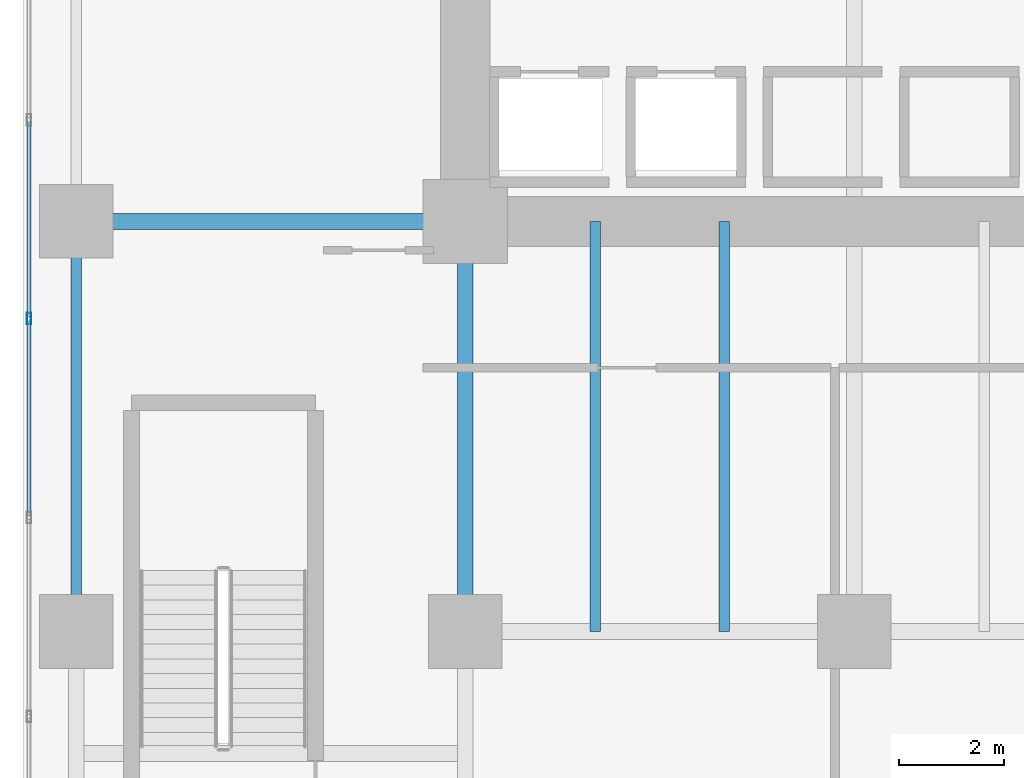
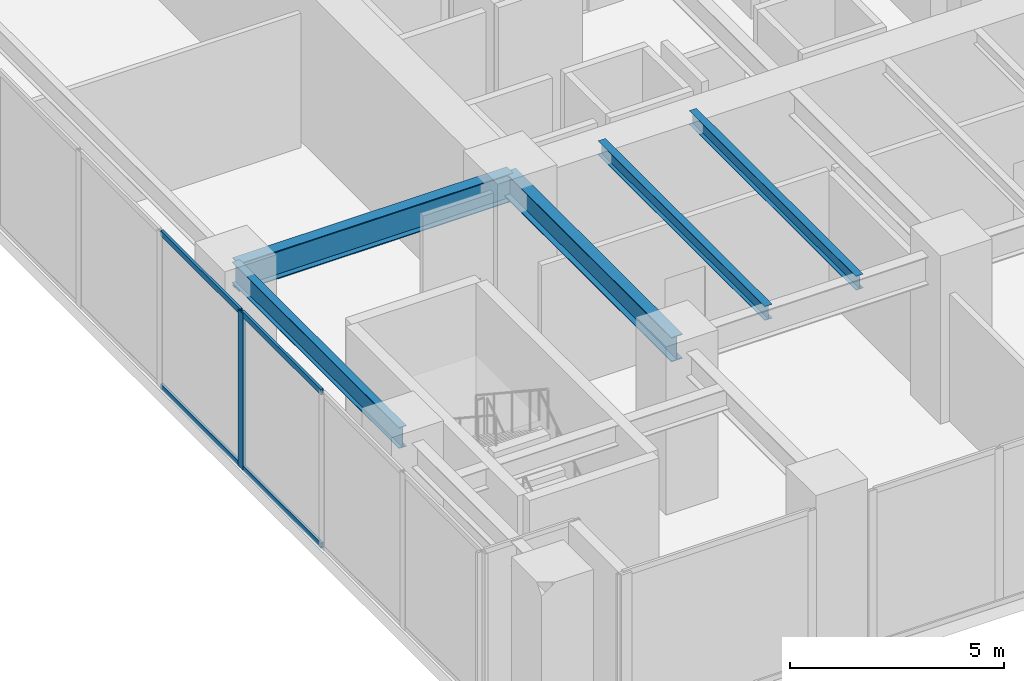
# One storey, part 3 of 32: 5 beams, 5 members, 1 element without a shape of its own.
"""IFC4 building model written with IfcOpenShell, lengths in metres."""

import ifcopenshell
import ifcopenshell.guid

model = None  # the IFC model being written
_history = None  # IfcOwnerHistory: only IFC2X3 demands one
_inside = {}  # id of a spatial element -> (the spatial element, [elements in it])
_under = {}  # id of a project, library or spatial element -> (it, [spatial elements below it])
_declared = {}  # id of a project -> (the project, [libraries it declares])
_typed = {}  # id of a type object -> (the type object, [elements of that type])
_made_of = {}  # id of a material, layer set ... -> (it, [elements and type objects made of it])


def new_model(schema):
    """Start an empty IFC model of exactly this schema.

    Asked for "IFC4X3", IfcOpenShell would pick the latest addendum, in which some entities
    have other attributes; the version numbers below select the first issue.
    IFC2X3 requires an IfcOwnerHistory on every rooted entity: one is made here for all.
    """
    global model, _history
    if schema == "IFC4X3":
        model = ifcopenshell.file(schema_version=(4, 3, 0, 0))
    else:
        model = ifcopenshell.file(schema=schema)
    _inside.clear()
    _under.clear()
    _declared.clear()
    _typed.clear()
    _made_of.clear()
    _history = None
    if model.schema == "IFC2X3":
        org = make("IfcOrganization", Name="unknown")
        user = make(
            "IfcPersonAndOrganization",
            ThePerson=make("IfcPerson", FamilyName="unknown"),
            TheOrganization=org,
        )
        app = make(
            "IfcApplication",
            ApplicationDeveloper=org,
            Version="unknown",
            ApplicationFullName="unknown",
            ApplicationIdentifier="unknown",
        )
        _history = make(
            "IfcOwnerHistory",
            OwningUser=user,
            OwningApplication=app,
            ChangeAction="ADDED",
            CreationDate=0,
        )
    return model


def make(cls, **values):
    """One entity of the class cls with the attributes given. An attribute that is None is left unset."""
    return model.create_entity(
        cls, **{name: value for name, value in values.items() if value is not None}
    )


def rooted(cls, **values):
    """An entity with a GlobalId (a new one), such as an element, a storey or a relation."""
    return make(cls, GlobalId=ifcopenshell.guid.new(), OwnerHistory=_history, **values)


def si_unit(unit_type, name, prefix=None):
    """IfcSIUnit, for example si_unit("LENGTHUNIT", "METRE", prefix="MILLI")."""
    return make("IfcSIUnit", UnitType=unit_type, Prefix=prefix, Name=name)


def assignment(units):
    """IfcUnitAssignment: the units of a project."""
    return None if units is None else make("IfcUnitAssignment", Units=units)


def point(xyz):
    """IfcCartesianPoint."""
    return None if xyz is None else make("IfcCartesianPoint", Coordinates=xyz)


def direction(xyz):
    """IfcDirection."""
    return None if xyz is None else make("IfcDirection", DirectionRatios=xyz)


def frame(location, z_axis=None, x_axis=None):
    """IfcAxis2Placement3D, a coordinate frame: its origin and axes. An axis left out is left unset."""
    return make(
        "IfcAxis2Placement3D",
        Location=point(location),
        Axis=direction(z_axis),
        RefDirection=direction(x_axis),
    )


def frame_2d(location, x_axis=None):
    """IfcAxis2Placement2D, a coordinate frame in the plane: its origin and x axis."""
    return make(
        "IfcAxis2Placement2D", Location=point(location), RefDirection=direction(x_axis)
    )


def origin():
    """The frame at (0, 0, 0) with its axes left unset."""
    return frame((0.0, 0.0, 0.0))


def origin_2d():
    """The frame at (0, 0) in the plane with its x axis left unset."""
    return frame_2d((0.0, 0.0))


def place(relative_to, where):
    """IfcLocalPlacement: puts the frame where relative to a parent placement (None: the world)."""
    return make(
        "IfcLocalPlacement", PlacementRelTo=relative_to, RelativePlacement=where
    )


def context(
    kind, dimensions, precision=None, world=None, true_north=None, identifier=None
):
    """IfcGeometricRepresentationContext, for example the 3D "Model" context."""
    return make(
        "IfcGeometricRepresentationContext",
        ContextIdentifier=identifier,
        ContextType=kind,
        CoordinateSpaceDimension=dimensions,
        Precision=precision,
        WorldCoordinateSystem=world,
        TrueNorth=true_north,
    )


def subcontext(parent, identifier, kind, view, scale=None):
    """IfcGeometricRepresentationSubContext, for example "Body" below "Model"."""
    return make(
        "IfcGeometricRepresentationSubContext",
        ContextIdentifier=identifier,
        ContextType=kind,
        ParentContext=parent,
        TargetScale=scale,
        TargetView=view,
    )


def project(units=None, contexts=None):
    """IfcProject with its units and contexts."""
    return rooted(
        "IfcProject",
        Name="project",
        RepresentationContexts=contexts,
        UnitsInContext=assignment(units),
    )


def spatial(cls, under=None, at=None, **own):
    """A site, building, storey or space (cls), placed at a placement, below another one or the project."""
    s = rooted(cls, ObjectPlacement=at, **own)
    if under is not None:
        _under.setdefault(under.id(), (under, []))[1].append(s)
    return s


def profile(cls, at=None, kind="AREA", **sizes):
    """A parametric profile (cls). Its sizes go by their IFC names, for example OverallWidth=200.0."""
    return make(cls, ProfileType=kind, Position=at, **sizes)


def hollow_rectangle(**sizes):
    """IfcRectangleHollowProfileDef."""
    return profile("IfcRectangleHollowProfileDef", **sizes)


def i_section(**sizes):
    """IfcIShapeProfileDef."""
    return profile("IfcIShapeProfileDef", **sizes)


def extrude(swept, where, along, depth):
    """IfcExtrudedAreaSolid: the profile swept, set in the frame where, extruded along a direction by depth."""
    return make(
        "IfcExtrudedAreaSolid",
        SweptArea=swept,
        Position=where,
        ExtrudedDirection=direction(along),
        Depth=depth,
    )


def shape(context_of_items, identifier, shape_type, items):
    """IfcShapeRepresentation: the items that make up one representation, for example the "Body"."""
    return make(
        "IfcShapeRepresentation",
        ContextOfItems=context_of_items,
        RepresentationIdentifier=identifier,
        RepresentationType=shape_type,
        Items=items,
    )


def source(mapping_origin, context_of_items, identifier, shape_type, items):
    """IfcRepresentationMap: a shape defined once, which mapped items show again and again."""
    return make(
        "IfcRepresentationMap",
        MappingOrigin=mapping_origin,
        MappedRepresentation=shape(context_of_items, identifier, shape_type, items),
    )


def transform(
    local_origin,
    x_axis=None,
    y_axis=None,
    z_axis=None,
    scale=None,
    scale2=None,
    scale3=None,
    uniform=True,
):
    """IfcCartesianTransformationOperator3D, or its non-uniform kind. x_axis, y_axis, z_axis: its Axis1, 2, 3."""
    if uniform:
        return make(
            "IfcCartesianTransformationOperator3D",
            Axis1=direction(x_axis),
            Axis2=direction(y_axis),
            LocalOrigin=point(local_origin),
            Scale=scale,
            Axis3=direction(z_axis),
        )
    return make(
        "IfcCartesianTransformationOperator3DnonUniform",
        Axis1=direction(x_axis),
        Axis2=direction(y_axis),
        LocalOrigin=point(local_origin),
        Scale=scale,
        Axis3=direction(z_axis),
        Scale2=scale2,
        Scale3=scale3,
    )


def mapped(mapping_source, mapping_target):
    """IfcMappedItem: shows the shape of a source again, moved by a transform."""
    return make(
        "IfcMappedItem", MappingSource=mapping_source, MappingTarget=mapping_target
    )


def material(Name=None, Category=None):
    """IfcMaterial."""
    return make("IfcMaterial", Name=Name, Category=Category)


def layer(
    of_material, thickness, ventilated=None, Name=None, Category=None, Priority=None
):
    """IfcMaterialLayer: one layer of a wall or slab, of a material (None: an air gap)."""
    return make(
        "IfcMaterialLayer",
        Material=of_material,
        LayerThickness=thickness,
        IsVentilated=ventilated,
        Name=Name,
        Category=Category,
        Priority=Priority,
    )


def layer_set(layers, Name=None):
    """IfcMaterialLayerSet."""
    return make("IfcMaterialLayerSet", MaterialLayers=layers, LayerSetName=Name)


def material_profile(
    of_material, cross_section, Name=None, Category=None, Priority=None
):
    """IfcMaterialProfile: a cross section and its material."""
    return make(
        "IfcMaterialProfile",
        Name=Name,
        Material=of_material,
        Profile=cross_section,
        Priority=Priority,
        Category=Category,
    )


def profile_set(profiles, Name=None, composite=None):
    """IfcMaterialProfileSet."""
    return make(
        "IfcMaterialProfileSet",
        Name=Name,
        MaterialProfiles=profiles,
        CompositeProfile=composite,
    )


def made_of(thing, what):
    """Note that an element or type object is made of a material, layer set ...; save() writes the relation."""
    if what is not None:
        _made_of.setdefault(what.id(), (what, []))[1].append(thing)
    return thing


def type_object(cls, material=None, **own):
    """A type object (cls), such as IfcWallType, which elements share."""
    return made_of(rooted(cls, **own), material)


def type_shapes(of_type, sources):
    """Give a type object the sources (RepresentationMaps) that its elements show as mapped items."""
    of_type.RepresentationMaps = sources


def element(
    cls,
    number,
    at=None,
    inside=None,
    cuts=None,
    type_object=None,
    material=None,
    context=None,
    identifier="Body",
    shape_type=None,
    held_by="IfcProductDefinitionShape",
    body=None,
    shapes=None,
    **own,
):
    """One element of the class cls, such as IfcWall. Its Tag is "e" and its number.

    at: its placement. inside: the storey or other place that contains it. cuts: it is an
    opening in that element (IfcRelVoidsElement). A single representation is given by context,
    identifier, shape_type and body (its items); several are given by shapes. held_by: the class
    of the entity that holds the representations. save() writes the other relations.
    """
    e = rooted(cls, Tag="e%d" % number, ObjectPlacement=at, **own)
    if body is not None:
        shapes = [shape(context, identifier, shape_type, body)]
    if shapes is not None:
        e.Representation = make(held_by, Representations=shapes)
    if inside is not None:
        _inside.setdefault(inside.id(), (inside, []))[1].append(e)
    if cuts is not None:
        rooted(
            "IfcRelVoidsElement", RelatingBuildingElement=cuts, RelatedOpeningElement=e
        )
    if type_object is not None:
        _typed.setdefault(type_object.id(), (type_object, []))[1].append(e)
    return made_of(e, material)


def aggregate(whole, parts):
    """IfcRelAggregates: a whole, such as a stair, and the parts it consists of."""
    return rooted("IfcRelAggregates", RelatingObject=whole, RelatedObjects=parts)


def save(model, path):
    """Write the relations noted so far, then the file.

    IfcRelAggregates (storeys below a building ...), IfcRelContainedInSpatialStructure (elements
    in a storey), IfcRelDefinesByType, IfcRelAssociatesMaterial and IfcRelDeclares: one each for
    every whole, place, type object, material and project.
    """
    for whole, parts in _under.values():
        aggregate(whole, parts)
    for where, things in _inside.values():
        rooted(
            "IfcRelContainedInSpatialStructure",
            RelatedElements=things,
            RelatingStructure=where,
        )
    for kind, things in _typed.values():
        rooted("IfcRelDefinesByType", RelatedObjects=things, RelatingType=kind)
    for what, things in _made_of.values():
        rooted("IfcRelAssociatesMaterial", RelatedObjects=things, RelatingMaterial=what)
    for by, libraries in _declared.values():
        rooted("IfcRelDeclares", RelatingContext=by, RelatedDefinitions=libraries)
    model.write(path)


model = new_model("IFC4")

# Units and contexts
model_context = context("Model", 3, precision=1e-05, world=origin(), true_north=direction((0.0, 1.0)))
body_context = subcontext(model_context, "Body", "Model", "MODEL_VIEW")
ifc_project = project(units=[si_unit("LENGTHUNIT", "METRE"), si_unit("AREAUNIT", "SQUARE_METRE"), si_unit("VOLUMEUNIT", "CUBIC_METRE"), si_unit("PLANEANGLEUNIT", "RADIAN"), si_unit("MASSUNIT", "GRAM", prefix="KILO")], contexts=[model_context])

# Site, building, storey
site_placement = place(None, origin())
site = spatial("IfcSite", under=ifc_project, at=site_placement, CompositionType="ELEMENT")
building_placement = place(site_placement, origin())
building = spatial("IfcBuilding", under=site, at=building_placement, Name="Haelvirn Gate Laboratories", CompositionType="ELEMENT")
storey_placement = place(building_placement, frame((0.0, 0.0, 5.39990234375)))
storey = spatial("IfcBuildingStorey", under=building, at=storey_placement, Name="L02", CompositionType="ELEMENT", Elevation=5.39990234375)

# Beams
ifc_material_1 = material(Name="Steel SM420", Category="steel")
ifc_material_profile_1 = material_profile(ifc_material_1, i_section(OverallWidth=0.300048828125, OverallDepth=0.800048828125, WebThickness=0.013916015625, FlangeThickness=0.02587890625, at=origin_2d()), Name="H-800x300x14x26")
ifc_profile_set_1 = profile_set([ifc_material_profile_1], Name="Steel SM420")
beam_type_1 = type_object("IfcBeamType", Name="BM-G-800", PredefinedType="BEAM", material=ifc_profile_set_1)
shared_shape_1 = source(origin(), body_context, "Body", "SweptSolid", [
    extrude(i_section(OverallWidth=0.300048828125, OverallDepth=0.800048828125, WebThickness=0.013916015625, FlangeThickness=0.02587890625, at=origin_2d()), origin(), (0.0, 0.0, 1.0), 7.39990234375),
])
type_shapes(beam_type_1, [shared_shape_1])
beam_1_placement = place(storey_placement, frame((0.0, 14.800048828125, 4.050048828125), z_axis=(1.0, 0.0, 0.0), x_axis=(0.0, 1.0, 0.0)))
element("IfcBeam", 1, at=beam_1_placement, inside=storey, type_object=beam_type_1, Name="L02 Primary Girder Y14.8 (0.0-7.4)", PredefinedType="BEAM", context=body_context, shape_type="MappedRepresentation", body=[
    mapped(shared_shape_1, transform((0.0, 0.0, 0.0), scale=1.0)),
])
ifc_material_2 = material(Name="Steel SM355", Category="steel")
ifc_material_profile_2 = material_profile(ifc_material_2, i_section(OverallWidth=0.199951171875, OverallDepth=0.60009765625, WebThickness=0.010986328125, FlangeThickness=0.01708984375, at=origin_2d()), Name="H-600x200x11x17")
ifc_profile_set_2 = profile_set([ifc_material_profile_2], Name="Steel SM355")
beam_type_2 = type_object("IfcBeamType", Name="BM-SP-600", PredefinedType="SPANDREL", material=ifc_profile_set_2)
shared_shape_2 = source(origin(), body_context, "Body", "SweptSolid", [
    extrude(i_section(OverallWidth=0.199951171875, OverallDepth=0.60009765625, WebThickness=0.010986328125, FlangeThickness=0.01708984375, at=origin_2d()), origin(), (0.0, 0.0, 1.0), 7.800048828125),
])
type_shapes(beam_type_2, [shared_shape_2])
beam_2_placement = place(storey_placement, frame((0.0, 7.0, 4.150146484375), z_axis=(0.0, 1.0, 0.0), x_axis=(-1.0, 0.0, 0.0)))
element("IfcBeam", 2, at=beam_2_placement, inside=storey, type_object=beam_type_2, Name="L02 Perimeter Spandrel X0.0 (7.0-14.8)", PredefinedType="SPANDREL", context=body_context, shape_type="MappedRepresentation", body=[
    mapped(shared_shape_2, transform((0.0, 0.0, 0.0), scale=1.0)),
])
ifc_material_profile_3 = material_profile(ifc_material_2, i_section(OverallWidth=0.199951171875, OverallDepth=0.39990234375, WebThickness=0.008056640625, FlangeThickness=0.012939453125, at=origin_2d()), Name="H-400x200x8x13")
ifc_profile_set_3 = profile_set([ifc_material_profile_3], Name="Steel SM355")
beam_type_3 = type_object("IfcBeamType", Name="BM-J-400", PredefinedType="JOIST", material=ifc_profile_set_3)
shared_shape_3 = source(origin(), body_context, "Body", "SweptSolid", [
    extrude(i_section(OverallWidth=0.199951171875, OverallDepth=0.39990234375, WebThickness=0.008056640625, FlangeThickness=0.012939453125, at=origin_2d()), origin(), (0.0, 0.0, 1.0), 7.800048828125),
])
type_shapes(beam_type_3, [shared_shape_3])
for number, where, z_axis, x_axis, name in (
    (3, (9.8701171875, 7.0, 4.25), (0.0, 1.0, 0.0), (-1.0, 0.0, 0.0), "L02 Composite Lab Joist South X9.87"),
    (4, (12.330078125, 7.0, 4.25), (0.0, 1.0, 0.0), (-1.0, 0.0, 0.0), "L02 Composite Lab Joist South X12.33"),
):
    element("IfcBeam", number, at=place(storey_placement, frame(where, z_axis=z_axis, x_axis=x_axis)), inside=storey, type_object=beam_type_3, Name=name, PredefinedType="JOIST", context=body_context, shape_type="MappedRepresentation", body=[
        mapped(shared_shape_3, transform((0.0, 0.0, 0.0), scale=1.0)),
    ])
ifc_material_profile_4 = material_profile(ifc_material_2, i_section(OverallWidth=0.300048828125, OverallDepth=0.699951171875, WebThickness=0.012939453125, FlangeThickness=0.02392578125, at=origin_2d()), Name="H-700x300x13x24")
ifc_profile_set_4 = profile_set([ifc_material_profile_4], Name="Steel SM355")
beam_type_4 = type_object("IfcBeamType", Name="BM-G-700", PredefinedType="BEAM", material=ifc_profile_set_4)
shared_shape_4 = source(origin(), body_context, "Body", "SweptSolid", [
    extrude(i_section(OverallWidth=0.300048828125, OverallDepth=0.699951171875, WebThickness=0.012939453125, FlangeThickness=0.02392578125, at=origin_2d()), origin(), (0.0, 0.0, 1.0), 7.800048828125),
])
type_shapes(beam_type_4, [shared_shape_4])
beam_3_placement = place(storey_placement, frame((7.39990234375, 7.0, 4.10009765625), z_axis=(0.0, 1.0, 0.0), x_axis=(-1.0, 0.0, 0.0)))
element("IfcBeam", 5, at=beam_3_placement, inside=storey, type_object=beam_type_4, Name="L02 Frame Girder X7.4 (7.0-14.8)", PredefinedType="BEAM", context=body_context, shape_type="MappedRepresentation", body=[
    mapped(shared_shape_4, transform((0.0, 0.0, 0.0), scale=1.0)),
])

# Curtain wall, members
ifc_material_3 = material(Name="Anodised bronze unitised aluminium & triple low-E glass", Category="aluminium")
ifc_layer = layer(ifc_material_3, 0.18798828125, Name="CW-SYS-1")
ifc_layer_set = layer_set([ifc_layer], Name="Anodised bronze unitised aluminium & triple low-E glass")
curtain_wall_type = type_object("IfcCurtainWallType", Name="CW-SYS-1", PredefinedType="NOTDEFINED", material=ifc_layer_set)
curtain_wall_placement = place(storey_placement, origin())
curtain_wall = element("IfcCurtainWall", 6, at=curtain_wall_placement, inside=storey, type_object=curtain_wall_type, Name="L02 Unitised Curtain Wall CW-L02-P0-E05", PredefinedType="NOTDEFINED")
ifc_material_4 = material(Name="Extruded aluminium 6063-T6 (anodised bronze)", Category="aluminium")
ifc_material_profile_5 = material_profile(ifc_material_4, hollow_rectangle(XDim=0.080078125, YDim=0.219970703125, WallThickness=0.006103515625, at=origin_2d()), Name="CWM-220x80x6")
ifc_profile_set_5 = profile_set([ifc_material_profile_5], Name="Extruded aluminium 6063-T6 (anodised bronze)")
member_type_1 = type_object("IfcMemberType", Name="CWM-T220", PredefinedType="MULLION", material=ifc_profile_set_5)
shared_shape_5 = source(origin(), body_context, "Body", "SweptSolid", [
    extrude(hollow_rectangle(XDim=0.080078125, YDim=0.219970703125, WallThickness=0.006103515625, at=origin_2d()), origin(), (0.0, 0.0, 1.0), 4.4501953125),
])
type_shapes(member_type_1, [shared_shape_5])
member_1_placement = place(storey_placement, frame((-0.89990234375, 12.949951171875, 0.0), z_axis=(0.0, 0.0, 1.0), x_axis=(1.0, 0.0, 0.0)))
member_1 = element("IfcMember", 7, at=member_1_placement, type_object=member_type_1, Name="CW1 mullion 10", PredefinedType="MULLION", context=body_context, shape_type="MappedRepresentation", body=[
    mapped(shared_shape_5, transform((0.0, 0.0, 0.0), scale=1.0)),
])
ifc_material_profile_6 = material_profile(ifc_material_4, hollow_rectangle(XDim=0.070068359375, YDim=0.159912109375, WallThickness=0.0048828125, at=origin_2d()), Name="CWT-160x70x5")
ifc_profile_set_6 = profile_set([ifc_material_profile_6], Name="Extruded aluminium 6063-T6 (anodised bronze)")
member_type_2 = type_object("IfcMemberType", Name="CWT-T160", PredefinedType="USERDEFINED", material=ifc_profile_set_6)
shared_shape_6 = source(origin(), body_context, "Body", "SweptSolid", [
    extrude(hollow_rectangle(XDim=0.070068359375, YDim=0.159912109375, WallThickness=0.0048828125, at=origin_2d()), origin(), (0.0, 0.0, 1.0), 3.703369140625),
])
member_2_placement = place(storey_placement, frame((-0.89990234375, 16.693359375, 0.03515625), z_axis=(0.0, -1.0, 0.0), x_axis=(1.0, 0.0, 0.0)))
member_2 = element("IfcMember", 8, at=member_2_placement, type_object=member_type_2, Name="CW1 transom 9.1", ObjectType="TRANSOM", PredefinedType="USERDEFINED", context=body_context, shape_type="MappedRepresentation", body=[
    mapped(shared_shape_6, transform((0.0, 0.0, 0.0), scale=1.0)),
])
member_3_placement = place(storey_placement, frame((-0.89990234375, 16.693359375, 4.4150390625), z_axis=(0.0, -1.0, 0.0), x_axis=(1.0, 0.0, 0.0)))
member_3 = element("IfcMember", 9, at=member_3_placement, type_object=member_type_2, Name="CW1 transom 9.2", ObjectType="TRANSOM", PredefinedType="USERDEFINED", context=body_context, shape_type="MappedRepresentation", body=[
    mapped(shared_shape_6, transform((0.0, 0.0, 0.0), scale=1.0)),
])
shared_shape_7 = source(origin(), body_context, "Body", "SweptSolid", [
    extrude(hollow_rectangle(XDim=0.070068359375, YDim=0.159912109375, WallThickness=0.0048828125, at=origin_2d()), origin(), (0.0, 0.0, 1.0), 3.703125),
])
type_shapes(member_type_2, [shared_shape_6, shared_shape_7])
member_4_placement = place(storey_placement, frame((-0.89990234375, 12.909912109375, 0.03515625), z_axis=(0.0, -1.0, 0.0), x_axis=(1.0, 0.0, 0.0)))
member_4 = element("IfcMember", 10, at=member_4_placement, type_object=member_type_2, Name="CW1 transom 10.1", ObjectType="TRANSOM", PredefinedType="USERDEFINED", context=body_context, shape_type="MappedRepresentation", body=[
    mapped(shared_shape_7, transform((0.0, 0.0, 0.0), scale=1.0)),
])
member_5_placement = place(storey_placement, frame((-0.89990234375, 12.909912109375, 4.4150390625), z_axis=(0.0, -1.0, 0.0), x_axis=(1.0, 0.0, 0.0)))
member_5 = element("IfcMember", 11, at=member_5_placement, type_object=member_type_2, Name="CW1 transom 10.2", ObjectType="TRANSOM", PredefinedType="USERDEFINED", context=body_context, shape_type="MappedRepresentation", body=[
    mapped(shared_shape_7, transform((0.0, 0.0, 0.0), scale=1.0)),
])
aggregate(curtain_wall, [member_1, member_2, member_3, member_4, member_5])

save(model, "model.ifc")
